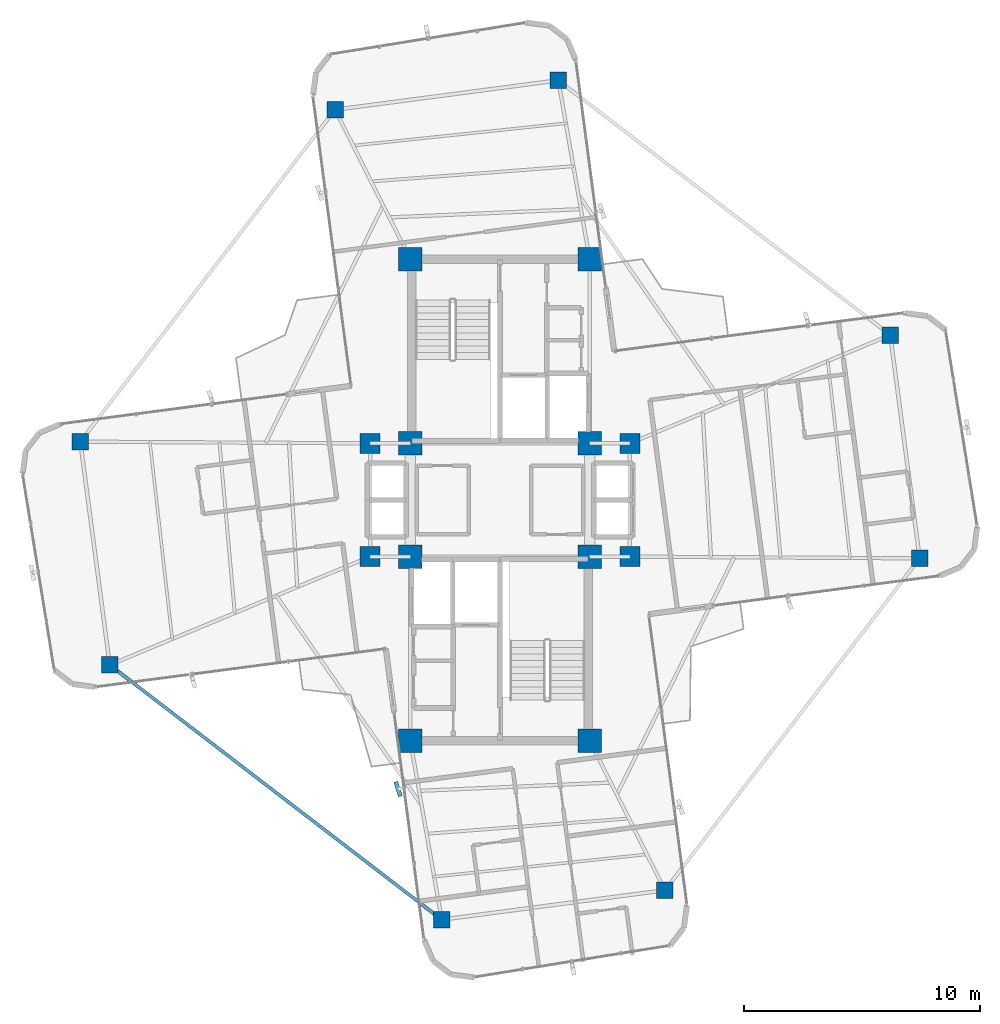
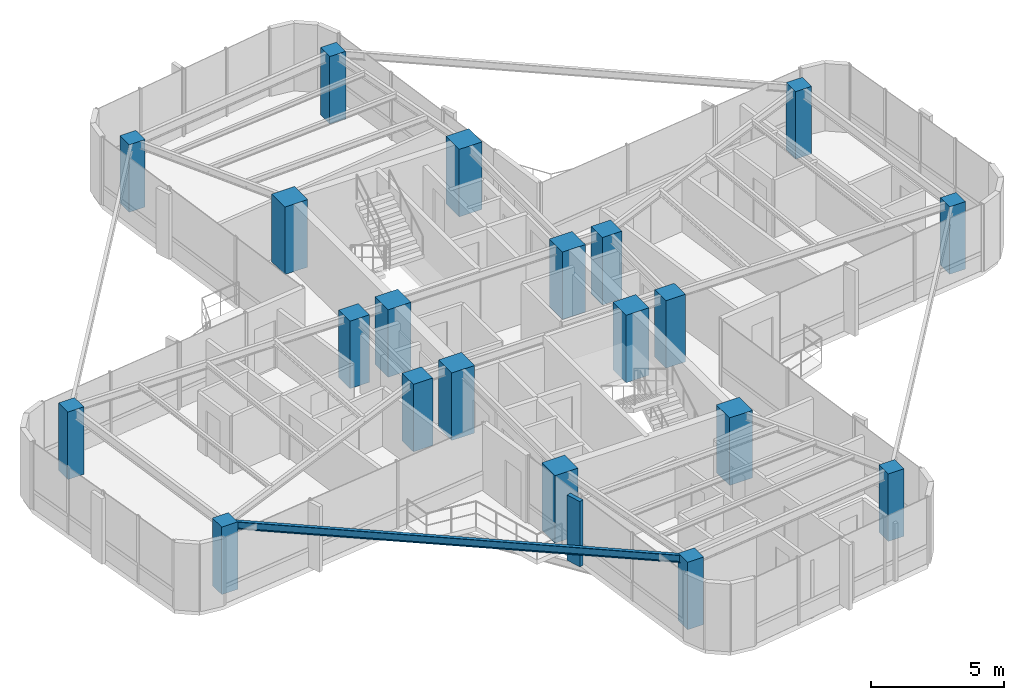
# One storey, part 1 of 22: 20 columns, 1 beam, 1 member, 1 element without a shape of its own.
"""IFC4 building model written with IfcOpenShell, lengths in metres."""

from ifc_helpers import new_model, si_unit, direction, frame, origin, origin_2d, place, context, subcontext, project, spatial, rectangle, i_section, extrude, source, transform, mapped, material, material_profile, profile_set, type_object, element, aggregate, save


model = new_model("IFC4")

# Units and contexts
model_context = context("Model", 3, precision=1e-05, world=origin(), true_north=direction((0.0, 1.0)))
body_context = subcontext(model_context, "Body", "Model", "MODEL_VIEW")
ifc_project = project(units=[si_unit("LENGTHUNIT", "METRE"), si_unit("AREAUNIT", "SQUARE_METRE"), si_unit("VOLUMEUNIT", "CUBIC_METRE"), si_unit("PLANEANGLEUNIT", "RADIAN"), si_unit("MASSUNIT", "GRAM", prefix="KILO")], contexts=[model_context])

# Site, building, storey
site_placement = place(None, origin())
site = spatial("IfcSite", under=ifc_project, at=site_placement, CompositionType="ELEMENT")
building_placement = place(site_placement, origin())
building = spatial("IfcBuilding", under=site, at=building_placement, Name="Sahyath Konkavel Grand Hotel", CompositionType="ELEMENT")
storey_placement = place(building_placement, frame((0.0, 0.0, 241.14990234375)))
storey = spatial("IfcBuildingStorey", under=building, at=storey_placement, Name="L67", CompositionType="ELEMENT", Elevation=241.14990234375)

# Columns
ifc_material_1 = material(Name="Concrete C50/60", Category="concrete")
ifc_material_profile_1 = material_profile(ifc_material_1, rectangle(XDim=1.0, YDim=1.0, at=origin_2d()), Name="RC 1000x1000")
ifc_profile_set_1 = profile_set([ifc_material_profile_1], Name="Concrete C50/60")
column_type_1 = type_object("IfcColumnType", Name="COL-RC1000", PredefinedType="COLUMN", material=ifc_profile_set_1)
shared_shape_1 = source(origin(), body_context, "Body", "SweptSolid", [
    extrude(rectangle(XDim=1.0, YDim=1.0, at=origin_2d()), origin(), (0.0, 0.0, 1.0), 3.110107421875),
])
for number, where, z_axis, x_axis, name in (
    (1, (-3.800048828125, 2.39990234375, 0.0), (0.0, 0.0, 1.0), (1.0, 0.0, 0.0), "L67 Core Boundary Column NC-SW"),
    (2, (3.800048828125, 2.39990234375, 0.0), (0.0, 0.0, 1.0), (1.0, 0.0, 0.0), "L67 Core Boundary Column NC-SE"),
    (3, (-3.800048828125, 10.199951171875, 0.0), (0.0, 0.0, 1.0), (1.0, 0.0, 0.0), "L67 Core Boundary Column NC-NW"),
    (4, (3.800048828125, 10.199951171875, 0.0), (0.0, 0.0, 1.0), (1.0, 0.0, 0.0), "L67 Core Boundary Column NC-NE"),
    (5, (-3.800048828125, -2.39990234375, 0.0), (0.0, 0.0, 1.0), (1.0, 0.0, 0.0), "L67 Core Boundary Column SC-NW"),
    (6, (3.800048828125, -2.39990234375, 0.0), (0.0, 0.0, 1.0), (1.0, 0.0, 0.0), "L67 Core Boundary Column SC-NE"),
    (7, (-3.800048828125, -10.199951171875, 0.0), (0.0, 0.0, 1.0), (1.0, 0.0, 0.0), "L67 Core Boundary Column SC-SW"),
    (8, (3.800048828125, -10.199951171875, 0.0), (0.0, 0.0, 1.0), (1.0, 0.0, 0.0), "L67 Core Boundary Column SC-SE"),
):
    element("IfcColumn", number, at=place(storey_placement, frame(where, z_axis=z_axis, x_axis=x_axis)), inside=storey, type_object=column_type_1, Name=name, PredefinedType="COLUMN", context=body_context, shape_type="MappedRepresentation", body=[
        mapped(shared_shape_1, transform((0.0, 0.0, 0.0), scale=1.0)),
    ])
ifc_material_2 = material(Name="Concrete C40/50", Category="concrete")
ifc_material_profile_2 = material_profile(ifc_material_2, rectangle(XDim=0.85009765625, YDim=0.85009765625, at=origin_2d()), Name="RC 850x850")
ifc_profile_set_2 = profile_set([ifc_material_profile_2], Name="Concrete C40/50")
column_type_2 = type_object("IfcColumnType", Name="COL-RC850", PredefinedType="COLUMN", material=ifc_profile_set_2)
shared_shape_2 = source(origin(), body_context, "Body", "SweptSolid", [
    extrude(rectangle(XDim=0.85009765625, YDim=0.85009765625, at=origin_2d()), origin(), (0.0, 0.0, 1.0), 3.110107421875),
])
for number, where, z_axis, x_axis, name in (
    (9, (5.5, 2.39990234375, 0.0), (0.0, 0.0, 1.0), (1.0, 0.0, 0.0), "L67 Central Spine Column HB-NE"),
    (10, (-5.5, 2.39990234375, 0.0), (0.0, 0.0, 1.0), (1.0, 0.0, 0.0), "L67 Central Spine Column HB-NW"),
    (11, (5.5, -2.39990234375, 0.0), (0.0, 0.0, 1.0), (1.0, 0.0, 0.0), "L67 Central Spine Column HB-SE"),
    (12, (-5.5, -2.39990234375, 0.0), (0.0, 0.0, 1.0), (1.0, 0.0, 0.0), "L67 Central Spine Column HB-SW"),
):
    element("IfcColumn", number, at=place(storey_placement, frame(where, z_axis=z_axis, x_axis=x_axis)), inside=storey, type_object=column_type_2, Name=name, PredefinedType="COLUMN", context=body_context, shape_type="MappedRepresentation", body=[
        mapped(shared_shape_2, transform((0.0, 0.0, 0.0), scale=1.0)),
    ])
ifc_material_profile_3 = material_profile(ifc_material_2, rectangle(XDim=0.699951171875, YDim=0.699951171875, at=origin_2d()), Name="RC 700x700")
ifc_profile_set_3 = profile_set([ifc_material_profile_3], Name="Concrete C40/50")
column_type_3 = type_object("IfcColumnType", Name="COL-RC700", PredefinedType="COLUMN", material=ifc_profile_set_3)
shared_shape_3 = source(origin(), body_context, "Body", "SweptSolid", [
    extrude(rectangle(XDim=0.699951171875, YDim=0.699951171875, at=origin_2d()), origin(), (0.0, 0.0, 1.0), 3.110107421875),
])
for number, where, z_axis, x_axis, name in (
    (13, (17.78173828125, -2.47119140625, 0.0), (0.0, 0.0, 1.0), (1.0, 0.0, 0.0), "L67 Cruciform Wing Column WC-EA"),
    (14, (16.5361328125, 6.9892578125, 0.0), (0.0, 0.0, 1.0), (1.0, 0.0, 0.0), "L67 Cruciform Wing Column WC-EB"),
    (15, (2.47119140625, 17.78173828125, 0.0), (0.0, 0.0, 1.0), (1.0, 0.0, 0.0), "L67 Cruciform Wing Column WC-NA"),
    (16, (-6.9892578125, 16.5361328125, 0.0), (0.0, 0.0, 1.0), (1.0, 0.0, 0.0), "L67 Cruciform Wing Column WC-NB"),
    (17, (-17.78173828125, 2.47119140625, 0.0), (0.0, 0.0, 1.0), (1.0, 0.0, 0.0), "L67 Cruciform Wing Column WC-WA"),
    (18, (-16.5361328125, -6.9892578125, 0.0), (0.0, 0.0, 1.0), (1.0, 0.0, 0.0), "L67 Cruciform Wing Column WC-WB"),
    (19, (-2.47119140625, -17.78173828125, 0.0), (0.0, 0.0, 1.0), (1.0, 0.0, 0.0), "L67 Cruciform Wing Column WC-SA"),
    (20, (6.9892578125, -16.5361328125, 0.0), (0.0, 0.0, 1.0), (1.0, 0.0, 0.0), "L67 Cruciform Wing Column WC-SB"),
):
    element("IfcColumn", number, at=place(storey_placement, frame(where, z_axis=z_axis, x_axis=x_axis)), inside=storey, type_object=column_type_3, Name=name, PredefinedType="COLUMN", context=body_context, shape_type="MappedRepresentation", body=[
        mapped(shared_shape_3, transform((0.0, 0.0, 0.0), scale=1.0)),
    ])

# Beam
ifc_material_3 = material(Name="Steel E350", Category="steel")
ifc_material_profile_4 = material_profile(ifc_material_3, i_section(OverallWidth=0.139892578125, OverallDepth=0.35009765625, WebThickness=0.008056640625, FlangeThickness=0.01416015625, FilletRadius=0.013916015625, at=origin_2d()), Name="ISMB 350")
ifc_profile_set_4 = profile_set([ifc_material_profile_4], Name="Steel E350")
beam_type = type_object("IfcBeamType", Name="BM-ISMB350", PredefinedType="BEAM", material=ifc_profile_set_4)
shared_shape_4 = source(origin(), body_context, "Body", "SweptSolid", [
    extrude(i_section(OverallWidth=0.139892578125, OverallDepth=0.35009765625, WebThickness=0.008056640625, FlangeThickness=0.01416015625, FilletRadius=0.013916015625, at=origin_2d()), origin(), (0.0, 0.0, 1.0), 17.728515625),
])
beam_placement = place(storey_placement, frame((-16.5361328125, -6.9892578125, 2.93505859375), z_axis=(0.79335139674, -0.608763961886, 0.0), x_axis=(0.608763961886, 0.79335139674, 0.0)))
element("IfcBeam", 21, at=beam_placement, inside=storey, type_object=beam_type, Name="L67 Re-Entrant Tie Beam SW", PredefinedType="BEAM", context=body_context, shape_type="MappedRepresentation", body=[
    mapped(shared_shape_4, transform((0.0, 0.0, 0.0), scale=1.0)),
])

# Curtain wall, member
ifc_material_4 = material(Name="Anodised Bronze Aluminium & Low-E Glazing", Category="aluminium")
curtain_wall_type = type_object("IfcCurtainWallType", Name="CW-ZONE4", PredefinedType="NOTDEFINED", material=ifc_material_4)
curtain_wall_placement = place(storey_placement, origin())
curtain_wall = element("IfcCurtainWall", 22, at=curtain_wall_placement, inside=storey, type_object=curtain_wall_type, Name="L67 Unitised Curtain Wall F24", PredefinedType="NOTDEFINED")
ifc_material_5 = material(Name="Warm Buff Sandstone Cladding on Concrete C50/60", Category="masonry")
ifc_material_profile_5 = material_profile(ifc_material_5, rectangle(XDim=0.179931640625, YDim=0.64990234375, at=origin_2d()), Name="FIN 180x650")
ifc_profile_set_5 = profile_set([ifc_material_profile_5], Name="Warm Buff Sandstone Cladding on Concrete C50/60")
member_type = type_object("IfcMemberType", Name="FIN-SANDSTONE-650", PredefinedType="MULLION", material=ifc_profile_set_5)
shared_shape_5 = source(origin(), body_context, "Body", "SweptSolid", [
    extrude(rectangle(XDim=0.179931640625, YDim=0.64990234375, at=origin_2d()), origin(), (0.0, 0.0, 1.0), 3.010009765625),
])
member_placement = place(storey_placement, frame((-4.3193359375, -12.248291015625, 0.050048828125), z_axis=(0.0, 0.0, 1.0), x_axis=(0.952767550771, 0.303700500819, 0.0)))
member = element("IfcMember", 23, at=member_placement, type_object=member_type, Name="L67 Sandstone Vertical Solar Fin FIN F24-1", PredefinedType="MULLION", context=body_context, shape_type="MappedRepresentation", body=[
    mapped(shared_shape_5, transform((0.0, 0.0, 0.0), scale=1.0)),
])
aggregate(curtain_wall, [member])

save(model, "model.ifc")
